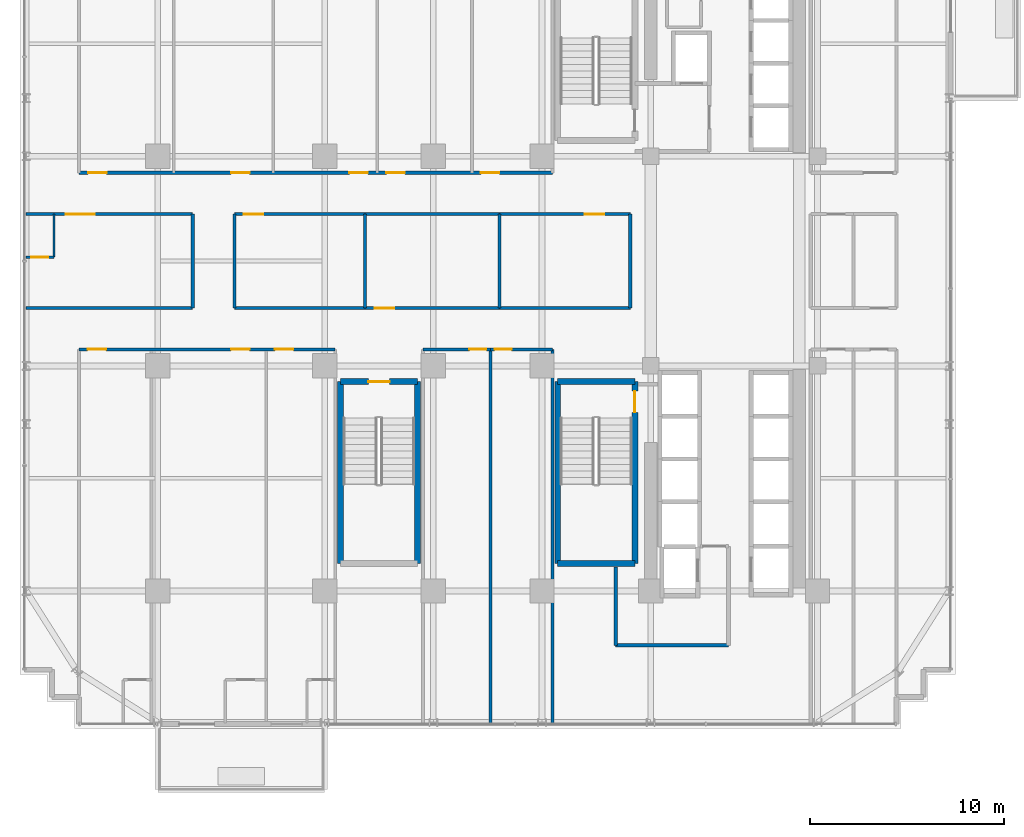
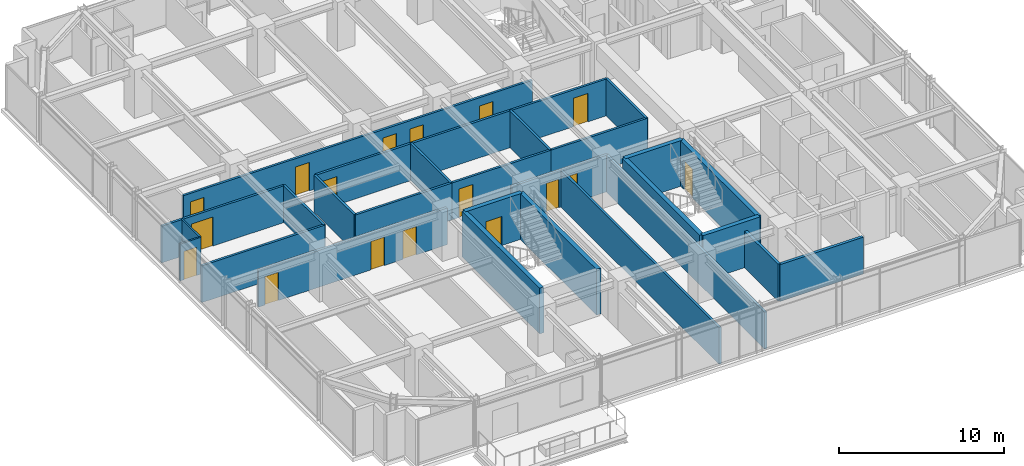
# One storey, part 26 of 32: 30 walls, 17 doors, 17 openings.
"""IFC4 building model written with IfcOpenShell, lengths in metres."""

from ifc_helpers import new_model, si_unit, direction, frame, frame_2d, origin, place, context, subcontext, project, spatial, rectangle, extrude, source, transform, mapped, material, layer, layer_set, type_object, element, fill, save


model = new_model("IFC4")

# Units and contexts
model_context = context("Model", 3, precision=1e-05, world=origin(), true_north=direction((0.0, 1.0)))
body_context = subcontext(model_context, "Body", "Model", "MODEL_VIEW")
ifc_project = project(units=[si_unit("LENGTHUNIT", "METRE"), si_unit("AREAUNIT", "SQUARE_METRE"), si_unit("VOLUMEUNIT", "CUBIC_METRE"), si_unit("PLANEANGLEUNIT", "RADIAN"), si_unit("MASSUNIT", "GRAM", prefix="KILO")], contexts=[model_context])

# Site, building, storey
site_placement = place(None, origin())
site = spatial("IfcSite", under=ifc_project, at=site_placement, CompositionType="ELEMENT")
building_placement = place(site_placement, origin())
building = spatial("IfcBuilding", under=site, at=building_placement, Name="Nahalor Promenade Grand Hotel", CompositionType="ELEMENT")
storey_placement = place(building_placement, frame((0.0, 0.0, 102.89990234375)))
storey = spatial("IfcBuildingStorey", under=building, at=storey_placement, Name="L25", CompositionType="ELEMENT", Elevation=102.89990234375)

# Walls
ifc_material_1 = material(Name="Concrete B-50 (C40/50)", Category="concrete")
ifc_layer_1 = layer(ifc_material_1, 0.300048828125)
ifc_layer_set_1 = layer_set([ifc_layer_1], Name="Concrete B-50 (C40/50)")
wall_type_1 = type_object("IfcWallType", Name="Wall-ShaftShear-300", PredefinedType="SHEAR", material=ifc_layer_set_1)
shared_shape_1 = source(origin(), body_context, "Body", "SweptSolid", [
    extrude(rectangle(XDim=3.97998046875, YDim=0.300048828125, at=frame_2d((1.989990234375, 0.0))), origin(), (0.0, 0.0, 1.0), 3.380126953125),
])
for number, where, z_axis, x_axis, name in (
    (1, (3.610107421875, -15.590087890625, 0.0), (0.0, 0.0, 1.0), (1.0, 0.0, 0.0), "L25 Exit Stair ST2 Shaft Wall S"),
    (2, (3.610107421875, -6.2099609375, 0.0), (0.0, 0.0, 1.0), (1.0, 0.0, 0.0), "L25 Exit Stair ST2 Shaft Wall N"),
):
    element("IfcWall", number, at=place(storey_placement, frame(where, z_axis=z_axis, x_axis=x_axis)), inside=storey, type_object=wall_type_1, Name=name, PredefinedType="SHEAR", context=body_context, shape_type="MappedRepresentation", body=[
        mapped(shared_shape_1, transform((0.0, 0.0, 0.0), scale=1.0)),
    ])

# Wall, opening, door
wall_1_placement = place(storey_placement, frame((-7.590087890625, -6.2099609375, 0.0), z_axis=(0.0, 0.0, 1.0), x_axis=(1.0, 0.0, 0.0)))
wall_1 = element("IfcWall", 3, at=wall_1_placement, inside=storey, type_object=wall_type_1, Name="L25 Exit Stair ST3 Shaft Wall N", PredefinedType="SHEAR", context=body_context, shape_type="MappedRepresentation", body=[
    mapped(shared_shape_1, transform((0.0, 0.0, 0.0), scale=1.0)),
])
opening_1_placement = place(wall_1_placement, frame((1.43994140625, 0.0, 0.0)))
opening_1 = element("IfcOpeningElement", 4, at=opening_1_placement, cuts=wall_1, Name="Opening D-ST1", PredefinedType="OPENING", context=body_context, shape_type="SweptSolid", body=[
    extrude(rectangle(XDim=1.10009765625, YDim=2.14990234375, at=frame_2d((0.550048828125, 1.074951171875))), frame((0.0, 0.159912109375, 0.0), z_axis=(0.0, -1.0, 0.0), x_axis=(1.0, 0.0, 0.0)), (0.0, 0.0, 1.0), 0.320068359375),
])
ifc_material_2 = material(Name="Steel S355JR", Category="steel")
door_type_1 = type_object("IfcDoorType", Name="Door-StairFire-1100", OperationType="NOTDEFINED", PredefinedType="DOOR", material=ifc_material_2)
shared_shape_2 = source(origin(), body_context, "Body", "SweptSolid", [
    extrude(rectangle(XDim=1.10009765625, YDim=2.14990234375, at=frame_2d((0.550048828125, 1.074951171875))), frame((0.0, 0.02490234375, 0.0), z_axis=(0.0, -1.0, 0.0), x_axis=(1.0, 0.0, 0.0)), (0.0, 0.0, 1.0), 0.050048828125),
])
door_1_placement = place(opening_1_placement, frame((1.10009765625, 0.0, 0.0), z_axis=(0.0, 0.0, 1.0), x_axis=(-1.0, 0.0, 0.0)))
door_1 = element("IfcDoor", 5, at=door_1_placement, inside=storey, type_object=door_type_1, Name="DR-STAIR-ST3-L25", OperationType="SINGLE_SWING_RIGHT", OverallHeight=2.14990234375, OverallWidth=1.10009765625, PredefinedType="DOOR", context=body_context, shape_type="MappedRepresentation", body=[
    mapped(shared_shape_2, transform((0.0, 0.0, 0.0), scale=1.0)),
])
fill(opening_1, door_1)

# Wall
shared_shape_3 = source(origin(), body_context, "Body", "SweptSolid", [
    extrude(rectangle(XDim=9.380126953125, YDim=0.300048828125, at=frame_2d((4.68994140625, 0.0))), origin(), (0.0, 0.0, 1.0), 3.380126953125),
])
wall_2_placement = place(storey_placement, frame((3.610107421875, -15.590087890625, 0.0), z_axis=(0.0, 0.0, 1.0), x_axis=(0.0, 1.0, 0.0)))
element("IfcWall", 6, at=wall_2_placement, inside=storey, type_object=wall_type_1, Name="L25 Exit Stair ST2 Shaft Wall W", PredefinedType="SHEAR", context=body_context, shape_type="MappedRepresentation", body=[
    mapped(shared_shape_3, transform((0.0, 0.0, 0.0), scale=1.0)),
])

# Wall, opening, door
wall_3_placement = place(storey_placement, frame((7.590087890625, -15.590087890625, 0.0), z_axis=(0.0, 0.0, 1.0), x_axis=(0.0, 1.0, 0.0)))
wall_3 = element("IfcWall", 7, at=wall_3_placement, inside=storey, type_object=wall_type_1, Name="L25 Exit Stair ST2 Shaft Wall E", PredefinedType="SHEAR", context=body_context, shape_type="MappedRepresentation", body=[
    mapped(shared_shape_3, transform((0.0, 0.0, 0.0), scale=1.0)),
])
opening_2_placement = place(wall_3_placement, frame((7.7900390625, 0.0, 0.0)))
opening_2 = element("IfcOpeningElement", 8, at=opening_2_placement, cuts=wall_3, Name="Opening D-ST1", PredefinedType="OPENING", context=body_context, shape_type="SweptSolid", body=[
    extrude(rectangle(XDim=1.10009765625, YDim=2.14990234375, at=frame_2d((0.550048828125, 1.074951171875))), frame((0.0, 0.159912109375, 0.0), z_axis=(0.0, -1.0, 0.0), x_axis=(1.0, 0.0, 0.0)), (0.0, 0.0, 1.0), 0.320068359375),
])
door_2_placement = place(opening_2_placement, origin())
door_2 = element("IfcDoor", 9, at=door_2_placement, inside=storey, type_object=door_type_1, Name="DR-STAIR-ST2-L25", OperationType="SINGLE_SWING_RIGHT", OverallHeight=2.14990234375, OverallWidth=1.10009765625, PredefinedType="DOOR", context=body_context, shape_type="MappedRepresentation", body=[
    mapped(shared_shape_2, transform((0.0, 0.0, 0.0), scale=1.0)),
])
fill(opening_2, door_2)

# Walls
for number, where, z_axis, x_axis, name in (
    (10, (-7.590087890625, -15.590087890625, 0.0), (0.0, 0.0, 1.0), (0.0, 1.0, 0.0), "L25 Exit Stair ST3 Shaft Wall W"),
    (11, (-3.610107421875, -15.590087890625, 0.0), (0.0, 0.0, 1.0), (0.0, 1.0, 0.0), "L25 Exit Stair ST3 Shaft Wall E"),
):
    element("IfcWall", number, at=place(storey_placement, frame(where, z_axis=z_axis, x_axis=x_axis)), inside=storey, type_object=wall_type_1, Name=name, PredefinedType="SHEAR", context=body_context, shape_type="MappedRepresentation", body=[
        mapped(shared_shape_3, transform((0.0, 0.0, 0.0), scale=1.0)),
    ])
ifc_material_3 = material(Name="Concrete B-40 (C32/40)", Category="concrete")
ifc_layer_2 = layer(ifc_material_3, 0.199951171875)
ifc_layer_set_2 = layer_set([ifc_layer_2], Name="Concrete B-40 (C32/40)")
wall_type_2 = type_object("IfcWallType", Name="Wall-PartFire-200", PredefinedType="PARTITIONING", material=ifc_layer_set_2)
shared_shape_4 = source(origin(), body_context, "Body", "SweptSolid", [
    extrude(rectangle(XDim=5.81982421875, YDim=0.199951171875, at=frame_2d((2.909912109375, 0.0))), origin(), (0.0, 0.0, 1.0), 2.72021484375),
])
wall_4_placement = place(storey_placement, frame((6.60009765625, -19.800048828125, 0.0), z_axis=(0.0, 0.0, 1.0), x_axis=(1.0, 0.0, 0.0)))
element("IfcWall", 12, at=wall_4_placement, inside=storey, type_object=wall_type_2, Name="W-L25-FF2-S1", PredefinedType="PARTITIONING", context=body_context, shape_type="MappedRepresentation", body=[
    mapped(shared_shape_4, transform((0.0, 0.0, 0.0), scale=1.0)),
])
shared_shape_5 = source(origin(), body_context, "Body", "SweptSolid", [
    extrude(rectangle(XDim=4.030029296875, YDim=0.199951171875, at=frame_2d((2.01513671875, 0.0))), origin(), (0.0, 0.0, 1.0), 2.72021484375),
])
wall_5_placement = place(storey_placement, frame((6.60009765625, -19.800048828125, 0.0), z_axis=(0.0, 0.0, 1.0), x_axis=(0.0, 1.0, 0.0)))
element("IfcWall", 13, at=wall_5_placement, inside=storey, type_object=wall_type_2, Name="W-L25-FF2-W1", PredefinedType="PARTITIONING", context=body_context, shape_type="MappedRepresentation", body=[
    mapped(shared_shape_5, transform((0.0, 0.0, 0.0), scale=1.0)),
])
ifc_material_4 = material(Name="Acoustic Mineral Gypsum", Category="gypsum")
ifc_layer_3 = layer(ifc_material_4, 0.159912109375)
ifc_layer_set_3 = layer_set([ifc_layer_3], Name="Acoustic Mineral Gypsum")
wall_type_3 = type_object("IfcWallType", Name="Wall-PartCorridor-160", PredefinedType="PARTITIONING", material=ifc_layer_set_3)
shared_shape_6 = source(origin(), body_context, "Body", "SweptSolid", [
    extrude(rectangle(XDim=19.25, YDim=0.159912109375, at=frame_2d((9.625, 0.0))), origin(), (0.0, 0.0, 1.0), 2.72021484375),
])
for number, where, z_axis, x_axis, name in (
    (14, (0.14990234375, -23.800048828125, 0.0), (0.0, 0.0, 1.0), (0.0, 1.0, 0.0), "W-L25-SCB1-E"),
    (15, (3.340087890625, -23.800048828125, 0.0), (0.0, 0.0, 1.0), (0.0, 1.0, 0.0), "W-L25-SCB2-E"),
):
    element("IfcWall", number, at=place(storey_placement, frame(where, z_axis=z_axis, x_axis=x_axis)), inside=storey, type_object=wall_type_3, Name=name, PredefinedType="PARTITIONING", context=body_context, shape_type="MappedRepresentation", body=[
        mapped(shared_shape_6, transform((0.0, 0.0, 0.0), scale=1.0)),
    ])

# Wall, openings, doors
shared_shape_7 = source(origin(), body_context, "Body", "SweptSolid", [
    extrude(rectangle(XDim=24.400146484375, YDim=0.159912109375, at=frame_2d((12.2001953125, 0.0))), origin(), (0.0, 0.0, 1.0), 2.72021484375),
])
wall_6_placement = place(storey_placement, frame((-21.06005859375, 4.550048828125, 0.0), z_axis=(0.0, 0.0, 1.0), x_axis=(1.0, 0.0, 0.0)))
wall_6 = element("IfcWall", 16, at=wall_6_placement, inside=storey, type_object=wall_type_3, Name="W-L25-CORR-N", PredefinedType="PARTITIONING", context=body_context, shape_type="MappedRepresentation", body=[
    mapped(shared_shape_7, transform((0.0, 0.0, 0.0), scale=1.0)),
])
opening_3_placement = place(wall_6_placement, frame((0.472900390625, 0.0, 0.0)))
opening_3 = element("IfcOpeningElement", 17, at=opening_3_placement, cuts=wall_6, Name="Opening D-01", PredefinedType="OPENING", context=body_context, shape_type="SweptSolid", body=[
    extrude(rectangle(XDim=0.949951171875, YDim=2.10009765625, at=frame_2d((0.47509765625, 1.050048828125))), frame((0.0, 0.08984375, 0.0), z_axis=(0.0, -1.0, 0.0), x_axis=(1.0, 0.0, 0.0)), (0.0, 0.0, 1.0), 0.179931640625),
])
opening_4_placement = place(wall_6_placement, frame((7.844970703125, 0.0, 0.0)))
opening_4 = element("IfcOpeningElement", 18, at=opening_4_placement, cuts=wall_6, Name="Opening D-01", PredefinedType="OPENING", context=body_context, shape_type="SweptSolid", body=[
    extrude(rectangle(XDim=0.949951171875, YDim=2.10009765625, at=frame_2d((0.47509765625, 1.050048828125))), frame((0.0, 0.08984375, 0.0), z_axis=(0.0, -1.0, 0.0), x_axis=(1.0, 0.0, 0.0)), (0.0, 0.0, 1.0), 0.179931640625),
])
opening_5_placement = place(wall_6_placement, frame((13.93896484375, 0.0, 0.0)))
opening_5 = element("IfcOpeningElement", 19, at=opening_5_placement, cuts=wall_6, Name="Opening D-01", PredefinedType="OPENING", context=body_context, shape_type="SweptSolid", body=[
    extrude(rectangle(XDim=0.949951171875, YDim=2.10009765625, at=frame_2d((0.47509765625, 1.050048828125))), frame((0.0, 0.08984375, 0.0), z_axis=(0.0, -1.0, 0.0), x_axis=(1.0, 0.0, 0.0)), (0.0, 0.0, 1.0), 0.179931640625),
])
opening_6_placement = place(wall_6_placement, frame((15.844970703125, 0.0, 0.0)))
opening_6 = element("IfcOpeningElement", 20, at=opening_6_placement, cuts=wall_6, Name="Opening D-01", PredefinedType="OPENING", context=body_context, shape_type="SweptSolid", body=[
    extrude(rectangle(XDim=0.949951171875, YDim=2.10009765625, at=frame_2d((0.47509765625, 1.050048828125))), frame((0.0, 0.08984375, 0.0), z_axis=(0.0, -1.0, 0.0), x_axis=(1.0, 0.0, 0.0)), (0.0, 0.0, 1.0), 0.179931640625),
])
opening_7_placement = place(wall_6_placement, frame((20.708984375, 0.0, 0.0)))
opening_7 = element("IfcOpeningElement", 21, at=opening_7_placement, cuts=wall_6, Name="Opening D-01", PredefinedType="OPENING", context=body_context, shape_type="SweptSolid", body=[
    extrude(rectangle(XDim=0.949951171875, YDim=2.10009765625, at=frame_2d((0.47509765625, 1.050048828125))), frame((0.0, 0.08984375, 0.0), z_axis=(0.0, -1.0, 0.0), x_axis=(1.0, 0.0, 0.0)), (0.0, 0.0, 1.0), 0.179931640625),
])
ifc_material_5 = material(Name="Fire-Rated Timber Composite", Category="wood")
door_type_2 = type_object("IfcDoorType", Name="Door-GuestEntry-950", OperationType="NOTDEFINED", PredefinedType="DOOR", material=ifc_material_5)
shared_shape_8 = source(origin(), body_context, "Body", "SweptSolid", [
    extrude(rectangle(XDim=0.949951171875, YDim=2.10009765625, at=frame_2d((0.47509765625, 1.050048828125))), frame((0.0, 0.02490234375, 0.0), z_axis=(0.0, -1.0, 0.0), x_axis=(1.0, 0.0, 0.0)), (0.0, 0.0, 1.0), 0.050048828125),
])
door_3_placement = place(opening_3_placement, origin())
door_3 = element("IfcDoor", 22, at=door_3_placement, inside=storey, type_object=door_type_2, Name="DR-L25-N1-ENT", OperationType="SINGLE_SWING_RIGHT", OverallHeight=2.10009765625, OverallWidth=0.949951171875, PredefinedType="DOOR", context=body_context, shape_type="MappedRepresentation", body=[
    mapped(shared_shape_8, transform((0.0, 0.0, 0.0), scale=1.0)),
])
fill(opening_3, door_3)
door_4_placement = place(opening_4_placement, origin())
door_4 = element("IfcDoor", 23, at=door_4_placement, inside=storey, type_object=door_type_2, Name="DR-L25-N2-ENT", OperationType="SINGLE_SWING_RIGHT", OverallHeight=2.10009765625, OverallWidth=0.949951171875, PredefinedType="DOOR", context=body_context, shape_type="MappedRepresentation", body=[
    mapped(shared_shape_8, transform((0.0, 0.0, 0.0), scale=1.0)),
])
fill(opening_4, door_4)
door_5_placement = place(opening_5_placement, origin())
door_5 = element("IfcDoor", 24, at=door_5_placement, inside=storey, type_object=door_type_2, Name="DR-L25-N3-ENT", OperationType="SINGLE_SWING_RIGHT", OverallHeight=2.10009765625, OverallWidth=0.949951171875, PredefinedType="DOOR", context=body_context, shape_type="MappedRepresentation", body=[
    mapped(shared_shape_8, transform((0.0, 0.0, 0.0), scale=1.0)),
])
fill(opening_5, door_5)
door_6_placement = place(opening_6_placement, origin())
door_6 = element("IfcDoor", 25, at=door_6_placement, inside=storey, type_object=door_type_2, Name="DR-L25-N4-ENT", OperationType="SINGLE_SWING_RIGHT", OverallHeight=2.10009765625, OverallWidth=0.949951171875, PredefinedType="DOOR", context=body_context, shape_type="MappedRepresentation", body=[
    mapped(shared_shape_8, transform((0.0, 0.0, 0.0), scale=1.0)),
])
fill(opening_6, door_6)
door_7_placement = place(opening_7_placement, origin())
door_7 = element("IfcDoor", 26, at=door_7_placement, inside=storey, type_object=door_type_2, Name="DR-L25-N5-ENT", OperationType="SINGLE_SWING_RIGHT", OverallHeight=2.10009765625, OverallWidth=0.949951171875, PredefinedType="DOOR", context=body_context, shape_type="MappedRepresentation", body=[
    mapped(shared_shape_8, transform((0.0, 0.0, 0.0), scale=1.0)),
])
fill(opening_7, door_7)

# Wall, opening, door
ifc_layer_4 = layer(ifc_material_4, 0.1201171875)
ifc_layer_set_4 = layer_set([ifc_layer_4], Name="Acoustic Mineral Gypsum")
wall_type_4 = type_object("IfcWallType", Name="Wall-PartBath-120", PredefinedType="PARTITIONING", material=ifc_layer_set_4)
shared_shape_9 = source(origin(), body_context, "Body", "SweptSolid", [
    extrude(rectangle(XDim=1.449951171875, YDim=0.1201171875, at=frame_2d((0.72509765625, 0.0))), origin(), (0.0, 0.0, 1.0), 2.72021484375),
])
wall_7_placement = place(storey_placement, frame((-23.800048828125, 0.199951171875, 0.0), z_axis=(0.0, 0.0, 1.0), x_axis=(1.0, 0.0, 0.0)))
wall_7 = element("IfcWall", 27, at=wall_7_placement, inside=storey, type_object=wall_type_4, Name="W-L25-W1-BH", PredefinedType="PARTITIONING", context=body_context, shape_type="MappedRepresentation", body=[
    mapped(shared_shape_9, transform((0.0, 0.0, 0.0), scale=1.0)),
])
opening_8_placement = place(wall_7_placement, frame((0.284912109375, 0.0, 0.0)))
opening_8 = element("IfcOpeningElement", 28, at=opening_8_placement, cuts=wall_7, Name="Opening D-03", PredefinedType="OPENING", context=body_context, shape_type="SweptSolid", body=[
    extrude(rectangle(XDim=0.8798828125, YDim=2.10009765625, at=frame_2d((0.43994140625, 1.050048828125))), frame((0.0, 0.070068359375, 0.0), z_axis=(0.0, -1.0, 0.0), x_axis=(1.0, 0.0, 0.0)), (0.0, 0.0, 1.0), 0.14013671875),
])
door_type_3 = type_object("IfcDoorType", Name="Door-BathSwing-880", OperationType="NOTDEFINED", PredefinedType="DOOR", material=ifc_material_5)
shared_shape_10 = source(origin(), body_context, "Body", "SweptSolid", [
    extrude(rectangle(XDim=0.8798828125, YDim=2.10009765625, at=frame_2d((0.43994140625, 1.050048828125))), frame((0.0, 0.02490234375, 0.0), z_axis=(0.0, -1.0, 0.0), x_axis=(1.0, 0.0, 0.0)), (0.0, 0.0, 1.0), 0.050048828125),
])
door_8_placement = place(opening_8_placement, origin())
door_8 = element("IfcDoor", 29, at=door_8_placement, inside=storey, type_object=door_type_3, Name="DR-L25-W1-BATH", OperationType="SINGLE_SWING_LEFT", OverallHeight=2.10009765625, OverallWidth=0.8798828125, PredefinedType="DOOR", context=body_context, shape_type="MappedRepresentation", body=[
    mapped(shared_shape_10, transform((0.0, 0.0, 0.0), scale=1.0)),
])
fill(opening_8, door_8)

# Wall
shared_shape_11 = source(origin(), body_context, "Body", "SweptSolid", [
    extrude(rectangle(XDim=2.219970703125, YDim=0.1201171875, at=frame_2d((1.10986328125, 0.0))), origin(), (0.0, 0.0, 1.0), 2.72021484375),
])
wall_8_placement = place(storey_placement, frame((-22.35009765625, 0.199951171875, 0.0), z_axis=(0.0, 0.0, 1.0), x_axis=(0.0, 1.0, 0.0)))
element("IfcWall", 30, at=wall_8_placement, inside=storey, type_object=wall_type_4, Name="W-L25-W1-BV", PredefinedType="PARTITIONING", context=body_context, shape_type="MappedRepresentation", body=[
    mapped(shared_shape_11, transform((0.0, 0.0, 0.0), scale=1.0)),
])

# Wall, openings, doors
shared_shape_12 = source(origin(), body_context, "Body", "SweptSolid", [
    extrude(rectangle(XDim=13.199951171875, YDim=0.159912109375, at=frame_2d((6.60009765625, 0.0))), origin(), (0.0, 0.0, 1.0), 2.72021484375),
])
wall_9_placement = place(storey_placement, frame((-21.06005859375, -4.550048828125, 0.0), z_axis=(0.0, 0.0, 1.0), x_axis=(1.0, 0.0, 0.0)))
wall_9 = element("IfcWall", 31, at=wall_9_placement, inside=storey, type_object=wall_type_3, Name="W-L25-CORR-S", PredefinedType="PARTITIONING", context=body_context, shape_type="MappedRepresentation", body=[
    mapped(shared_shape_12, transform((0.0, 0.0, 0.0), scale=1.0)),
])
opening_9_placement = place(wall_9_placement, frame((0.447998046875, 0.0, 0.0)))
opening_9 = element("IfcOpeningElement", 32, at=opening_9_placement, cuts=wall_9, Name="Opening D-01", PredefinedType="OPENING", context=body_context, shape_type="SweptSolid", body=[
    extrude(rectangle(XDim=0.949951171875, YDim=2.10009765625, at=frame_2d((0.47509765625, 1.050048828125))), frame((0.0, 0.08984375, 0.0), z_axis=(0.0, -1.0, 0.0), x_axis=(1.0, 0.0, 0.0)), (0.0, 0.0, 1.0), 0.179931640625),
])
opening_10_placement = place(wall_9_placement, frame((7.843994140625, 0.0, 0.0)))
opening_10 = element("IfcOpeningElement", 33, at=opening_10_placement, cuts=wall_9, Name="Opening D-01", PredefinedType="OPENING", context=body_context, shape_type="SweptSolid", body=[
    extrude(rectangle(XDim=0.949951171875, YDim=2.10009765625, at=frame_2d((0.47509765625, 1.050048828125))), frame((0.0, 0.08984375, 0.0), z_axis=(0.0, -1.0, 0.0), x_axis=(1.0, 0.0, 0.0)), (0.0, 0.0, 1.0), 0.179931640625),
])
opening_11_placement = place(wall_9_placement, frame((10.093994140625, 0.0, 0.0)))
opening_11 = element("IfcOpeningElement", 34, at=opening_11_placement, cuts=wall_9, Name="Opening D-01", PredefinedType="OPENING", context=body_context, shape_type="SweptSolid", body=[
    extrude(rectangle(XDim=0.949951171875, YDim=2.10009765625, at=frame_2d((0.47509765625, 1.050048828125))), frame((0.0, 0.08984375, 0.0), z_axis=(0.0, -1.0, 0.0), x_axis=(1.0, 0.0, 0.0)), (0.0, 0.0, 1.0), 0.179931640625),
])
door_9_placement = place(opening_9_placement, frame((0.949951171875, 0.0, 0.0), z_axis=(0.0, 0.0, 1.0), x_axis=(-1.0, 0.0, 0.0)))
door_9 = element("IfcDoor", 35, at=door_9_placement, inside=storey, type_object=door_type_2, Name="DR-L25-S1-ENT", OperationType="SINGLE_SWING_RIGHT", OverallHeight=2.10009765625, OverallWidth=0.949951171875, PredefinedType="DOOR", context=body_context, shape_type="MappedRepresentation", body=[
    mapped(shared_shape_8, transform((0.0, 0.0, 0.0), scale=1.0)),
])
fill(opening_9, door_9)
door_10_placement = place(opening_10_placement, frame((0.949951171875, 0.0, 0.0), z_axis=(0.0, 0.0, 1.0), x_axis=(-1.0, 0.0, 0.0)))
door_10 = element("IfcDoor", 36, at=door_10_placement, inside=storey, type_object=door_type_2, Name="DR-L25-S2-ENT", OperationType="SINGLE_SWING_RIGHT", OverallHeight=2.10009765625, OverallWidth=0.949951171875, PredefinedType="DOOR", context=body_context, shape_type="MappedRepresentation", body=[
    mapped(shared_shape_8, transform((0.0, 0.0, 0.0), scale=1.0)),
])
fill(opening_10, door_10)
door_11_placement = place(opening_11_placement, frame((0.949951171875, 0.0, 0.0), z_axis=(0.0, 0.0, 1.0), x_axis=(-1.0, 0.0, 0.0)))
door_11 = element("IfcDoor", 37, at=door_11_placement, inside=storey, type_object=door_type_2, Name="DR-L25-S3-ENT", OperationType="SINGLE_SWING_RIGHT", OverallHeight=2.10009765625, OverallWidth=0.949951171875, PredefinedType="DOOR", context=body_context, shape_type="MappedRepresentation", body=[
    mapped(shared_shape_8, transform((0.0, 0.0, 0.0), scale=1.0)),
])
fill(opening_11, door_11)

# Wall, opening, door
shared_shape_13 = source(origin(), body_context, "Body", "SweptSolid", [
    extrude(rectangle(XDim=3.489990234375, YDim=0.159912109375, at=frame_2d((1.7451171875, 0.0))), origin(), (0.0, 0.0, 1.0), 2.72021484375),
])
wall_10_placement = place(storey_placement, frame((-3.340087890625, -4.550048828125, 0.0), z_axis=(0.0, 0.0, 1.0), x_axis=(1.0, 0.0, 0.0)))
wall_10 = element("IfcWall", 38, at=wall_10_placement, inside=storey, type_object=wall_type_3, Name="W-L25-SCB1-N", PredefinedType="PARTITIONING", context=body_context, shape_type="MappedRepresentation", body=[
    mapped(shared_shape_13, transform((0.0, 0.0, 0.0), scale=1.0)),
])
opening_12_placement = place(wall_10_placement, frame((2.39990234375, 0.0, 0.0)))
opening_12 = element("IfcOpeningElement", 39, at=opening_12_placement, cuts=wall_10, Name="Opening D-03", PredefinedType="OPENING", context=body_context, shape_type="SweptSolid", body=[
    extrude(rectangle(XDim=0.8798828125, YDim=2.10009765625, at=frame_2d((0.43994140625, 1.050048828125))), frame((0.0, 0.08984375, 0.0), z_axis=(0.0, -1.0, 0.0), x_axis=(1.0, 0.0, 0.0)), (0.0, 0.0, 1.0), 0.179931640625),
])
door_12_placement = place(opening_12_placement, frame((0.8798828125, 0.0, 0.0), z_axis=(0.0, 0.0, 1.0), x_axis=(-1.0, 0.0, 0.0)))
door_12 = element("IfcDoor", 40, at=door_12_placement, inside=storey, type_object=door_type_3, Name="DR-L25-SCB1", OperationType="SINGLE_SWING_LEFT", OverallHeight=2.10009765625, OverallWidth=0.8798828125, PredefinedType="DOOR", context=body_context, shape_type="MappedRepresentation", body=[
    mapped(shared_shape_10, transform((0.0, 0.0, 0.0), scale=1.0)),
])
fill(opening_12, door_12)

shared_shape_14 = source(origin(), body_context, "Body", "SweptSolid", [
    extrude(rectangle(XDim=3.190185546875, YDim=0.159912109375, at=frame_2d((1.59521484375, 0.0))), origin(), (0.0, 0.0, 1.0), 2.72021484375),
])
wall_11_placement = place(storey_placement, frame((0.14990234375, -4.550048828125, 0.0), z_axis=(0.0, 0.0, 1.0), x_axis=(1.0, 0.0, 0.0)))
wall_11 = element("IfcWall", 41, at=wall_11_placement, inside=storey, type_object=wall_type_3, Name="W-L25-SCB2-N", PredefinedType="PARTITIONING", context=body_context, shape_type="MappedRepresentation", body=[
    mapped(shared_shape_14, transform((0.0, 0.0, 0.0), scale=1.0)),
])
opening_13_placement = place(wall_11_placement, frame((0.2099609375, 0.0, 0.0)))
opening_13 = element("IfcOpeningElement", 42, at=opening_13_placement, cuts=wall_11, Name="Opening D-03", PredefinedType="OPENING", context=body_context, shape_type="SweptSolid", body=[
    extrude(rectangle(XDim=0.8798828125, YDim=2.10009765625, at=frame_2d((0.43994140625, 1.050048828125))), frame((0.0, 0.08984375, 0.0), z_axis=(0.0, -1.0, 0.0), x_axis=(1.0, 0.0, 0.0)), (0.0, 0.0, 1.0), 0.179931640625),
])
door_13_placement = place(opening_13_placement, frame((0.8798828125, 0.0, 0.0), z_axis=(0.0, 0.0, 1.0), x_axis=(-1.0, 0.0, 0.0)))
door_13 = element("IfcDoor", 43, at=door_13_placement, inside=storey, type_object=door_type_3, Name="DR-L25-SCB2", OperationType="SINGLE_SWING_RIGHT", OverallHeight=2.10009765625, OverallWidth=0.8798828125, PredefinedType="DOOR", context=body_context, shape_type="MappedRepresentation", body=[
    mapped(shared_shape_10, transform((0.0, 0.0, 0.0), scale=1.0)),
])
fill(opening_13, door_13)

shared_shape_15 = source(origin(), body_context, "Body", "SweptSolid", [
    extrude(rectangle(XDim=8.60009765625, YDim=0.159912109375, at=frame_2d((4.300048828125, 0.0))), origin(), (0.0, 0.0, 1.0), 2.72021484375),
])
wall_12_placement = place(storey_placement, frame((-23.800048828125, 2.419921875, 0.0), z_axis=(0.0, 0.0, 1.0), x_axis=(1.0, 0.0, 0.0)))
wall_12 = element("IfcWall", 44, at=wall_12_placement, inside=storey, type_object=wall_type_3, Name="W-L25-WEST-N", PredefinedType="PARTITIONING", context=body_context, shape_type="MappedRepresentation", body=[
    mapped(shared_shape_15, transform((0.0, 0.0, 0.0), scale=1.0)),
])
opening_14_placement = place(wall_12_placement, frame((2.06298828125, 0.0, 0.0)))
opening_14 = element("IfcOpeningElement", 45, at=opening_14_placement, cuts=wall_12, Name="Opening D-02", PredefinedType="OPENING", context=body_context, shape_type="SweptSolid", body=[
    extrude(rectangle(XDim=1.5, YDim=2.14990234375, at=frame_2d((0.75, 1.074951171875))), frame((0.0, 0.08984375, 0.0), z_axis=(0.0, -1.0, 0.0), x_axis=(1.0, 0.0, 0.0)), (0.0, 0.0, 1.0), 0.179931640625),
])
door_type_4 = type_object("IfcDoorType", Name="Door-SuiteDouble-1500", OperationType="DOUBLE_DOOR_SINGLE_SWING", PredefinedType="DOOR", material=ifc_material_5)
shared_shape_16 = source(origin(), body_context, "Body", "SweptSolid", [
    extrude(rectangle(XDim=1.5, YDim=2.14990234375, at=frame_2d((0.75, 1.074951171875))), frame((0.0, 0.02490234375, 0.0), z_axis=(0.0, -1.0, 0.0), x_axis=(1.0, 0.0, 0.0)), (0.0, 0.0, 1.0), 0.050048828125),
])
door_14_placement = place(opening_14_placement, origin())
door_14 = element("IfcDoor", 46, at=door_14_placement, inside=storey, type_object=door_type_4, Name="DR-L25-W1-ENT", OperationType="DOUBLE_DOOR_SINGLE_SWING", OverallHeight=2.14990234375, OverallWidth=1.5, PredefinedType="DOOR", context=body_context, shape_type="MappedRepresentation", body=[
    mapped(shared_shape_16, transform((0.0, 0.0, 0.0), scale=1.0)),
])
fill(opening_14, door_14)

# Walls
wall_13_placement = place(storey_placement, frame((-23.800048828125, -2.419921875, 0.0), z_axis=(0.0, 0.0, 1.0), x_axis=(1.0, 0.0, 0.0)))
element("IfcWall", 47, at=wall_13_placement, inside=storey, type_object=wall_type_3, Name="W-L25-WEST-S", PredefinedType="PARTITIONING", context=body_context, shape_type="MappedRepresentation", body=[
    mapped(shared_shape_15, transform((0.0, 0.0, 0.0), scale=1.0)),
])
shared_shape_17 = source(origin(), body_context, "Body", "SweptSolid", [
    extrude(rectangle(XDim=4.83984375, YDim=0.159912109375, at=frame_2d((2.419921875, 0.0))), origin(), (0.0, 0.0, 1.0), 2.72021484375),
])
for number, where, z_axis, x_axis, name in (
    (48, (-15.199951171875, -2.419921875, 0.0), (0.0, 0.0, 1.0), (0.0, 1.0, 0.0), "W-L25-WEST-E"),
    (49, (-13.050048828125, -2.419921875, 0.0), (0.0, 0.0, 1.0), (0.0, 1.0, 0.0), "W-L25-CM1-W"),
    (50, (-6.318115234375, -2.419921875, 0.0), (0.0, 0.0, 1.0), (0.0, 1.0, 0.0), "W-L25-CM1-E"),
    (51, (0.617919921875, -2.419921875, 0.0), (0.0, 0.0, 1.0), (0.0, 1.0, 0.0), "W-L25-CM2-E"),
    (52, (7.35009765625, -2.419921875, 0.0), (0.0, 0.0, 1.0), (0.0, 1.0, 0.0), "W-L25-CM3-E"),
):
    element("IfcWall", number, at=place(storey_placement, frame(where, z_axis=z_axis, x_axis=x_axis)), inside=storey, type_object=wall_type_3, Name=name, PredefinedType="PARTITIONING", context=body_context, shape_type="MappedRepresentation", body=[
        mapped(shared_shape_17, transform((0.0, 0.0, 0.0), scale=1.0)),
    ])
shared_shape_18 = source(origin(), body_context, "Body", "SweptSolid", [
    extrude(rectangle(XDim=6.73193359375, YDim=0.159912109375, at=frame_2d((3.365966796875, 0.0))), origin(), (0.0, 0.0, 1.0), 2.72021484375),
])
wall_14_placement = place(storey_placement, frame((-13.050048828125, -2.419921875, 0.0), z_axis=(0.0, 0.0, 1.0), x_axis=(1.0, 0.0, 0.0)))
element("IfcWall", 53, at=wall_14_placement, inside=storey, type_object=wall_type_3, Name="W-L25-CM1-S", PredefinedType="PARTITIONING", context=body_context, shape_type="MappedRepresentation", body=[
    mapped(shared_shape_18, transform((0.0, 0.0, 0.0), scale=1.0)),
])

# Wall, opening, door
wall_15_placement = place(storey_placement, frame((-13.050048828125, 2.419921875, 0.0), z_axis=(0.0, 0.0, 1.0), x_axis=(1.0, 0.0, 0.0)))
wall_15 = element("IfcWall", 54, at=wall_15_placement, inside=storey, type_object=wall_type_3, Name="W-L25-CM1-N", PredefinedType="PARTITIONING", context=body_context, shape_type="MappedRepresentation", body=[
    mapped(shared_shape_18, transform((0.0, 0.0, 0.0), scale=1.0)),
])
opening_15_placement = place(wall_15_placement, frame((0.488037109375, 0.0, 0.0)))
opening_15 = element("IfcOpeningElement", 55, at=opening_15_placement, cuts=wall_15, Name="Opening D-04", PredefinedType="OPENING", context=body_context, shape_type="SweptSolid", body=[
    extrude(rectangle(XDim=1.0, YDim=2.10009765625, at=frame_2d((0.5, 1.050048828125))), frame((0.0, 0.08984375, 0.0), z_axis=(0.0, -1.0, 0.0), x_axis=(1.0, 0.0, 0.0)), (0.0, 0.0, 1.0), 0.179931640625),
])
door_type_5 = type_object("IfcDoorType", Name="Door-ServiceFire-1000", OperationType="NOTDEFINED", PredefinedType="DOOR", material=ifc_material_2)
shared_shape_19 = source(origin(), body_context, "Body", "SweptSolid", [
    extrude(rectangle(XDim=1.0, YDim=2.10009765625, at=frame_2d((0.5, 1.050048828125))), frame((0.0, 0.02490234375, 0.0), z_axis=(0.0, -1.0, 0.0), x_axis=(1.0, 0.0, 0.0)), (0.0, 0.0, 1.0), 0.050048828125),
])
door_15_placement = place(opening_15_placement, frame((1.0, 0.0, 0.0), z_axis=(0.0, 0.0, 1.0), x_axis=(-1.0, 0.0, 0.0)))
door_15 = element("IfcDoor", 56, at=door_15_placement, inside=storey, type_object=door_type_5, Name="DR-L25-CM1", OperationType="SINGLE_SWING_RIGHT", OverallHeight=2.10009765625, OverallWidth=1.0, PredefinedType="DOOR", context=body_context, shape_type="MappedRepresentation", body=[
    mapped(shared_shape_19, transform((0.0, 0.0, 0.0), scale=1.0)),
])
fill(opening_15, door_15)

shared_shape_20 = source(origin(), body_context, "Body", "SweptSolid", [
    extrude(rectangle(XDim=6.93603515625, YDim=0.159912109375, at=frame_2d((3.468017578125, 0.0))), origin(), (0.0, 0.0, 1.0), 2.72021484375),
])
wall_16_placement = place(storey_placement, frame((-6.318115234375, -2.419921875, 0.0), z_axis=(0.0, 0.0, 1.0), x_axis=(1.0, 0.0, 0.0)))
wall_16 = element("IfcWall", 57, at=wall_16_placement, inside=storey, type_object=wall_type_3, Name="W-L25-CM2-S", PredefinedType="PARTITIONING", context=body_context, shape_type="MappedRepresentation", body=[
    mapped(shared_shape_20, transform((0.0, 0.0, 0.0), scale=1.0)),
])
opening_16_placement = place(wall_16_placement, frame((0.492919921875, 0.0, 0.0)))
opening_16 = element("IfcOpeningElement", 58, at=opening_16_placement, cuts=wall_16, Name="Opening D-04", PredefinedType="OPENING", context=body_context, shape_type="SweptSolid", body=[
    extrude(rectangle(XDim=1.0, YDim=2.10009765625, at=frame_2d((0.5, 1.050048828125))), frame((0.0, 0.08984375, 0.0), z_axis=(0.0, -1.0, 0.0), x_axis=(1.0, 0.0, 0.0)), (0.0, 0.0, 1.0), 0.179931640625),
])
door_16_placement = place(opening_16_placement, origin())
door_16 = element("IfcDoor", 59, at=door_16_placement, inside=storey, type_object=door_type_5, Name="DR-L25-CM2", OperationType="SINGLE_SWING_LEFT", OverallHeight=2.10009765625, OverallWidth=1.0, PredefinedType="DOOR", context=body_context, shape_type="MappedRepresentation", body=[
    mapped(shared_shape_19, transform((0.0, 0.0, 0.0), scale=1.0)),
])
fill(opening_16, door_16)

# Walls
wall_17_placement = place(storey_placement, frame((-6.318115234375, 2.419921875, 0.0), z_axis=(0.0, 0.0, 1.0), x_axis=(1.0, 0.0, 0.0)))
element("IfcWall", 60, at=wall_17_placement, inside=storey, type_object=wall_type_3, Name="W-L25-CM2-N", PredefinedType="PARTITIONING", context=body_context, shape_type="MappedRepresentation", body=[
    mapped(shared_shape_20, transform((0.0, 0.0, 0.0), scale=1.0)),
])
shared_shape_21 = source(origin(), body_context, "Body", "SweptSolid", [
    extrude(rectangle(XDim=6.732177734375, YDim=0.159912109375, at=frame_2d((3.3662109375, 0.0))), origin(), (0.0, 0.0, 1.0), 2.72021484375),
])
wall_18_placement = place(storey_placement, frame((0.617919921875, -2.419921875, 0.0), z_axis=(0.0, 0.0, 1.0), x_axis=(1.0, 0.0, 0.0)))
element("IfcWall", 61, at=wall_18_placement, inside=storey, type_object=wall_type_3, Name="W-L25-CM3-S", PredefinedType="PARTITIONING", context=body_context, shape_type="MappedRepresentation", body=[
    mapped(shared_shape_21, transform((0.0, 0.0, 0.0), scale=1.0)),
])

# Wall, opening, door
wall_19_placement = place(storey_placement, frame((0.617919921875, 2.419921875, 0.0), z_axis=(0.0, 0.0, 1.0), x_axis=(1.0, 0.0, 0.0)))
wall_19 = element("IfcWall", 62, at=wall_19_placement, inside=storey, type_object=wall_type_3, Name="W-L25-CM3-N", PredefinedType="PARTITIONING", context=body_context, shape_type="MappedRepresentation", body=[
    mapped(shared_shape_21, transform((0.0, 0.0, 0.0), scale=1.0)),
])
opening_17_placement = place(wall_19_placement, frame((4.37890625, 0.0, 0.0)))
opening_17 = element("IfcOpeningElement", 63, at=opening_17_placement, cuts=wall_19, Name="Opening D-04", PredefinedType="OPENING", context=body_context, shape_type="SweptSolid", body=[
    extrude(rectangle(XDim=1.0, YDim=2.10009765625, at=frame_2d((0.5, 1.050048828125))), frame((0.0, 0.08984375, 0.0), z_axis=(0.0, -1.0, 0.0), x_axis=(1.0, 0.0, 0.0)), (0.0, 0.0, 1.0), 0.179931640625),
])
door_17_placement = place(opening_17_placement, frame((1.0, 0.0, 0.0), z_axis=(0.0, 0.0, 1.0), x_axis=(-1.0, 0.0, 0.0)))
door_17 = element("IfcDoor", 64, at=door_17_placement, inside=storey, type_object=door_type_5, Name="DR-L25-CM3", OperationType="SINGLE_SWING_RIGHT", OverallHeight=2.10009765625, OverallWidth=1.0, PredefinedType="DOOR", context=body_context, shape_type="MappedRepresentation", body=[
    mapped(shared_shape_19, transform((0.0, 0.0, 0.0), scale=1.0)),
])
fill(opening_17, door_17)

save(model, "model.ifc")
